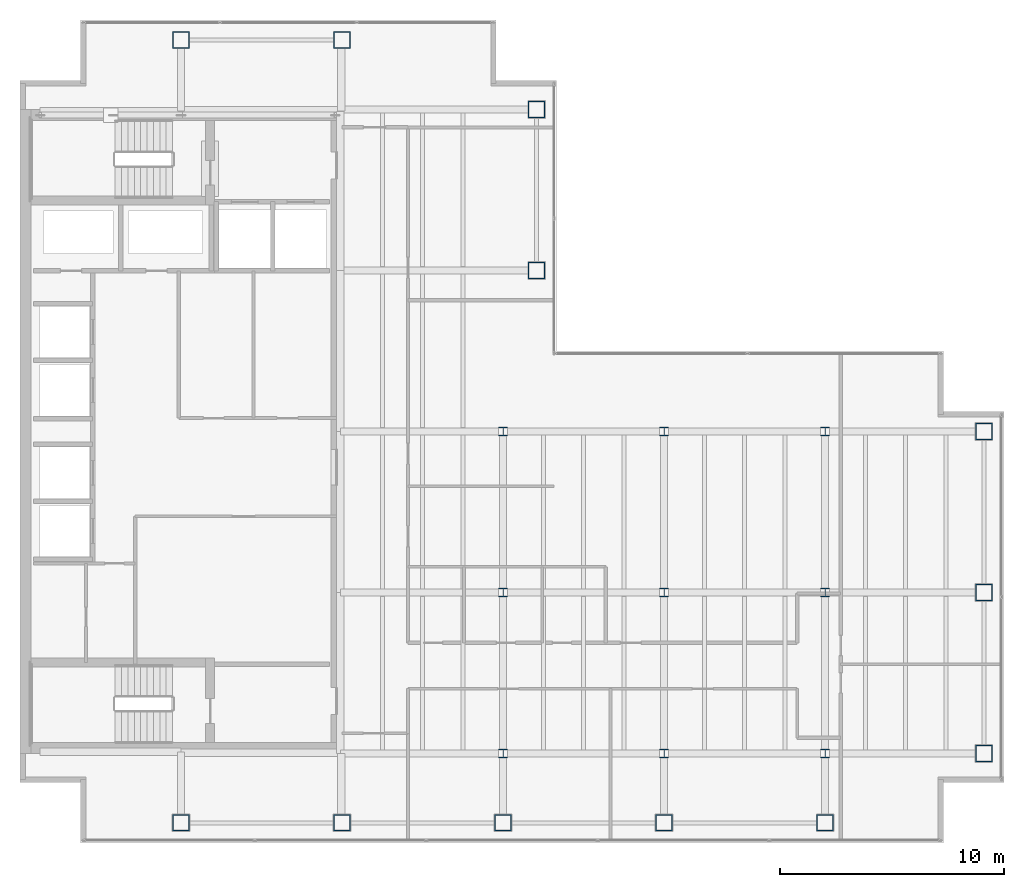
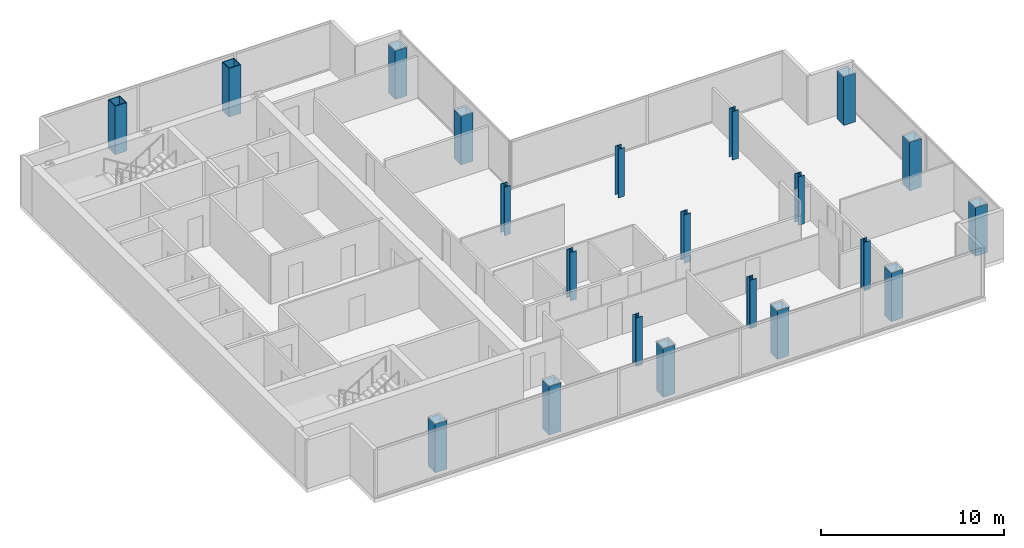
# One storey, part 1 of 23: 21 columns.
"""IFC4 building model written with IfcOpenShell, lengths in metres."""

from ifc_helpers import new_model, si_unit, direction, frame, origin, origin_2d, place, context, subcontext, project, spatial, hollow_rectangle, i_section, extrude, material, material_profile, profile_set, type_object, element, save


model = new_model("IFC4")

# Units and contexts
model_context = context("Model", 3, precision=1e-05, world=origin(), true_north=direction((0.0, 1.0)))
body_context = subcontext(model_context, "Body", "Model", "MODEL_VIEW")
ifc_project = project(units=[si_unit("LENGTHUNIT", "METRE"), si_unit("AREAUNIT", "SQUARE_METRE"), si_unit("VOLUMEUNIT", "CUBIC_METRE"), si_unit("PLANEANGLEUNIT", "RADIAN"), si_unit("MASSUNIT", "GRAM", prefix="KILO")], contexts=[model_context])

# Site, building, storey
site_placement = place(None, origin())
site = spatial("IfcSite", under=ifc_project, at=site_placement, CompositionType="ELEMENT")
building_placement = place(site_placement, origin())
building = spatial("IfcBuilding", under=site, at=building_placement, Name="Cobrela Telecom Tower", CompositionType="ELEMENT")
storey_placement = place(building_placement, frame((0.0, 0.0, 229.25)))
storey = spatial("IfcBuildingStorey", under=building, at=storey_placement, Name="L59", CompositionType="ELEMENT", Elevation=229.25)

# Columns
ifc_material_1 = material(Name="Steel ASTM A992 Grade 50", Category="steel")
ifc_material_profile_1 = material_profile(ifc_material_1, i_section(OverallWidth=0.39892578125, OverallDepth=0.39404296875, WebThickness=0.022705078125, FlangeThickness=0.03662109375, FilletRadius=0.01806640625, at=origin_2d()), Name="W14X193")
ifc_profile_set_1 = profile_set([ifc_material_profile_1], Name="Steel ASTM A992 Grade 50")
column_type_1 = type_object("IfcColumnType", Name="COL-INT-06", PredefinedType="COLUMN", material=ifc_profile_set_1)
for number, where, z_axis, x_axis, name in (
    (1, (21.60009765625, 7.199951171875, 0.0), (0.0, 0.0, 1.0), (1.0, 0.0, 0.0), "L59 Interior Column 06"),
    (2, (21.60009765625, 14.39990234375, 0.0), (0.0, 0.0, 1.0), (1.0, 0.0, 0.0), "L59 Interior Column 07"),
    (3, (21.60009765625, 21.60009765625, 0.0), (0.0, 0.0, 1.0), (1.0, 0.0, 0.0), "L59 Interior Column 08"),
    (4, (28.800048828125, 7.199951171875, 0.0), (0.0, 0.0, 1.0), (1.0, 0.0, 0.0), "L59 Interior Column 12"),
    (5, (28.800048828125, 14.39990234375, 0.0), (0.0, 0.0, 1.0), (1.0, 0.0, 0.0), "L59 Interior Column 13"),
    (6, (28.800048828125, 21.60009765625, 0.0), (0.0, 0.0, 1.0), (1.0, 0.0, 0.0), "L59 Interior Column 14"),
    (7, (36.0, 7.199951171875, 0.0), (0.0, 0.0, 1.0), (1.0, 0.0, 0.0), "L59 Interior Column 16"),
    (8, (36.0, 14.39990234375, 0.0), (0.0, 0.0, 1.0), (1.0, 0.0, 0.0), "L59 Interior Column 17"),
    (9, (36.0, 21.60009765625, 0.0), (0.0, 0.0, 1.0), (1.0, 0.0, 0.0), "L59 Interior Column 18"),
):
    element("IfcColumn", number, at=place(storey_placement, frame(where, z_axis=z_axis, x_axis=x_axis)), inside=storey, type_object=column_type_1, Name=name, PredefinedType="COLUMN", context=body_context, shape_type="SweptSolid", body=[
        extrude(i_section(OverallWidth=0.39892578125, OverallDepth=0.39404296875, WebThickness=0.022705078125, FlangeThickness=0.03662109375, FilletRadius=0.01806640625, at=origin_2d()), origin(), (0.0, 0.0, 1.0), 3.239990234375),
    ])
ifc_material_2 = material(Name="Steel ASTM A572 Grade 50", Category="steel")
ifc_material_profile_2 = material_profile(ifc_material_2, hollow_rectangle(XDim=0.75, YDim=0.75, WallThickness=0.044921875, at=origin_2d()), Name="BOX 750x750x45")
ifc_profile_set_2 = profile_set([ifc_material_profile_2], Name="Steel ASTM A572 Grade 50")
column_type_2 = type_object("IfcColumnType", Name="COL-MEGA-08", PredefinedType="COLUMN", material=ifc_profile_set_2)
for number, where, z_axis, x_axis, name in (
    (10, (7.199951171875, 4.10009765625, 0.0), (0.0, 0.0, 1.0), (1.0, 0.0, 0.0), "L59 Perimeter Mega-Column 01"),
    (11, (7.199951171875, 39.10009765625, 0.0), (0.0, 0.0, 1.0), (1.0, 0.0, 0.0), "L59 Perimeter Mega-Column 02"),
    (12, (14.39990234375, 4.10009765625, 0.0), (0.0, 0.0, 1.0), (1.0, 0.0, 0.0), "L59 Perimeter Mega-Column 03"),
    (13, (14.39990234375, 39.10009765625, 0.0), (0.0, 0.0, 1.0), (1.0, 0.0, 0.0), "L59 Perimeter Mega-Column 04"),
    (14, (21.60009765625, 4.10009765625, 0.0), (0.0, 0.0, 1.0), (1.0, 0.0, 0.0), "L59 Perimeter Mega-Column 05"),
    (15, (23.10009765625, 28.800048828125, 0.0), (0.0, 0.0, 1.0), (1.0, 0.0, 0.0), "L59 Perimeter Mega-Column 09"),
    (16, (23.10009765625, 36.0, 0.0), (0.0, 0.0, 1.0), (1.0, 0.0, 0.0), "L59 Perimeter Mega-Column 10"),
    (17, (28.800048828125, 4.10009765625, 0.0), (0.0, 0.0, 1.0), (1.0, 0.0, 0.0), "L59 Perimeter Mega-Column 11"),
    (18, (36.0, 4.10009765625, 0.0), (0.0, 0.0, 1.0), (1.0, 0.0, 0.0), "L59 Perimeter Mega-Column 15"),
    (19, (43.10009765625, 7.199951171875, 0.0), (0.0, 0.0, 1.0), (1.0, 0.0, 0.0), "L59 Perimeter Mega-Column 19"),
    (20, (43.10009765625, 14.39990234375, 0.0), (0.0, 0.0, 1.0), (1.0, 0.0, 0.0), "L59 Perimeter Mega-Column 20"),
    (21, (43.10009765625, 21.60009765625, 0.0), (0.0, 0.0, 1.0), (1.0, 0.0, 0.0), "L59 Perimeter Mega-Column 21"),
):
    element("IfcColumn", number, at=place(storey_placement, frame(where, z_axis=z_axis, x_axis=x_axis)), inside=storey, type_object=column_type_2, Name=name, PredefinedType="COLUMN", context=body_context, shape_type="SweptSolid", body=[
        extrude(hollow_rectangle(XDim=0.75, YDim=0.75, WallThickness=0.044921875, at=origin_2d()), origin(), (0.0, 0.0, 1.0), 3.239990234375),
    ])

save(model, "model.ifc")
